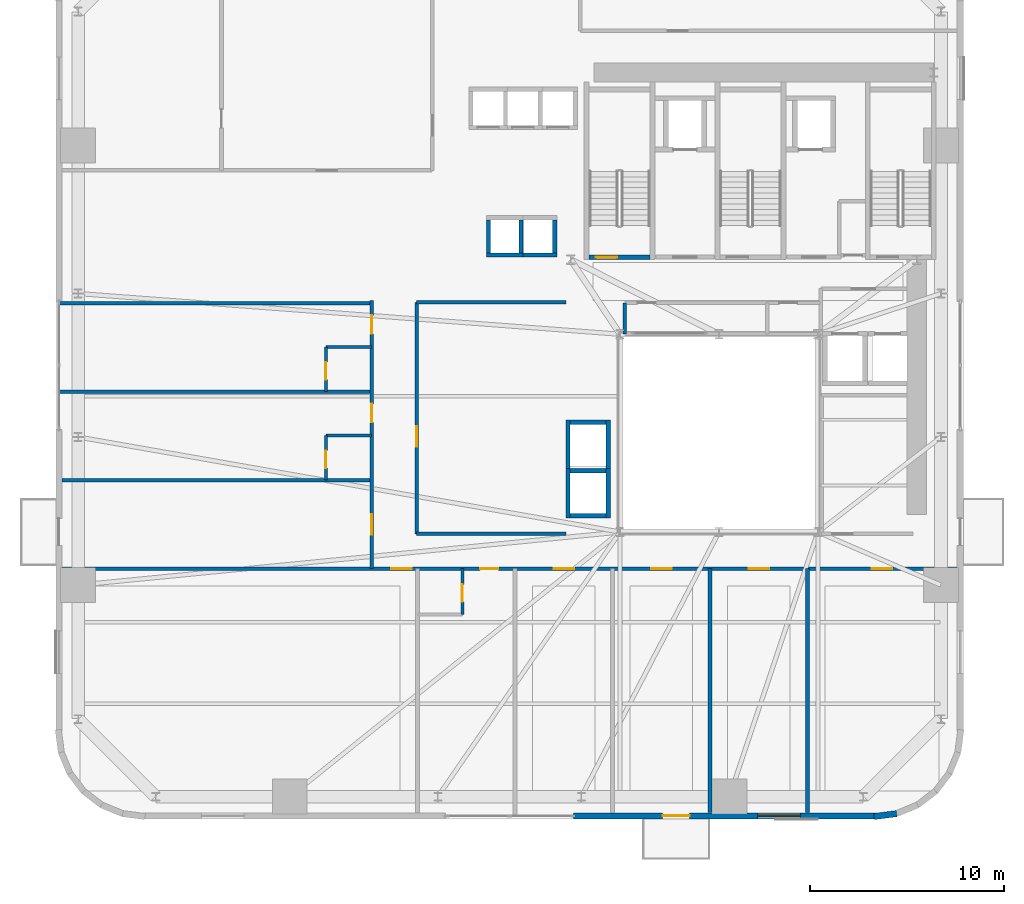
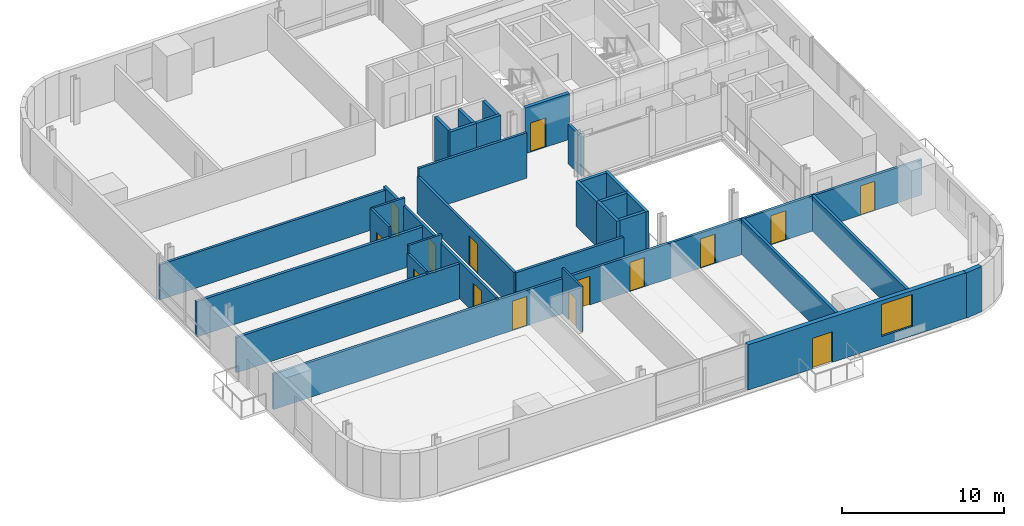
# One storey, part 6 of 13: 31 walls, 15 doors, 1 window, 16 openings.
"""IFC4 building model written with IfcOpenShell, lengths in metres."""

from ifc_helpers import new_model, si_unit, direction, frame, frame_2d, origin, place, context, subcontext, project, spatial, rectangle, extrude, source, transform, mapped, material, layer, layer_set, type_object, element, fill, save


model = new_model("IFC4")

# Units and contexts
model_context = context("Model", 3, precision=1e-05, world=origin(), true_north=direction((0.0, 1.0)))
body_context = subcontext(model_context, "Body", "Model", "MODEL_VIEW")
ifc_project = project(units=[si_unit("LENGTHUNIT", "METRE"), si_unit("AREAUNIT", "SQUARE_METRE"), si_unit("VOLUMEUNIT", "CUBIC_METRE"), si_unit("PLANEANGLEUNIT", "RADIAN"), si_unit("MASSUNIT", "GRAM", prefix="KILO")], contexts=[model_context])

# Site, building, storey
site_placement = place(None, origin())
site = spatial("IfcSite", under=ifc_project, at=site_placement, CompositionType="ELEMENT")
building_placement = place(site_placement, origin())
building = spatial("IfcBuilding", under=site, at=building_placement, Name="Vardaveli Station Tower", CompositionType="ELEMENT")
storey_placement = place(building_placement, frame((0.0, 0.0, 38.550048828125)))
storey = spatial("IfcBuildingStorey", under=building, at=storey_placement, Name="L09", CompositionType="ELEMENT", Elevation=38.550048828125)

# Wall, openings, door, window
ifc_material_1 = material(Name="Precast concrete C45/55", Category="concrete")
ifc_layer_1 = layer(ifc_material_1, 0.320068359375, Name="Precast concrete C45/55")
ifc_layer_set_1 = layer_set([ifc_layer_1], Name="Precast concrete C45/55")
wall_type_1 = type_object("IfcWallType", Name="WAL-EXT-STONE-320", PredefinedType="SOLIDWALL", material=ifc_layer_set_1)
shared_shape_1 = source(origin(), body_context, "Body", "SweptSolid", [
    extrude(rectangle(XDim=15.599853515625, YDim=0.320068359375, at=frame_2d((7.7998046875, 0.0))), origin(), (0.0, 0.0, 1.0), 3.409912109375),
])
wall_1_placement = place(storey_placement, frame((28.800048828125, 1.9599609375, 0.0), z_axis=(0.0, 0.0, 1.0), x_axis=(1.0, 0.0, 0.0)))
wall_1 = element("IfcWall", 1, at=wall_1_placement, inside=storey, type_object=wall_type_1, Name="EW-L09-S2", PredefinedType="SOLIDWALL", context=body_context, shape_type="MappedRepresentation", body=[
    mapped(shared_shape_1, transform((0.0, 0.0, 0.0), scale=1.0)),
])
shared_shape_2 = source(origin(), body_context, "Body", "SweptSolid", [
    extrude(rectangle(XDim=1.39990234375, YDim=2.300048828125, at=frame_2d((0.699951171875, 1.14990234375))), frame((0.0, 0.169921875, 0.0), z_axis=(0.0, -1.0, 0.0), x_axis=(1.0, 0.0, 0.0)), (0.0, 0.0, 1.0), 0.340087890625),
])
opening_1_placement = place(wall_1_placement, frame((4.589599609375, 0.0, 0.0)))
opening_1 = element("IfcOpeningElement", 2, at=opening_1_placement, cuts=wall_1, Name="Opening D-09", PredefinedType="OPENING", context=body_context, shape_type="MappedRepresentation", body=[
    mapped(shared_shape_2, transform((0.0, 0.0, 0.0), scale=1.0)),
])
shared_shape_3 = source(origin(), body_context, "Body", "SweptSolid", [
    extrude(rectangle(XDim=2.199951171875, YDim=2.39990234375, at=frame_2d((1.10009765625, 1.199951171875))), frame((0.0, 0.169921875, 0.0), z_axis=(0.0, -1.0, 0.0), x_axis=(1.0, 0.0, 0.0)), (0.0, 0.0, 1.0), 0.340087890625),
])
opening_2_placement = place(wall_1_placement, frame((9.4951171875, 0.0, 0.719970703125)))
opening_2 = element("IfcOpeningElement", 3, at=opening_2_placement, cuts=wall_1, Name="Opening W-03", PredefinedType="OPENING", context=body_context, shape_type="MappedRepresentation", body=[
    mapped(shared_shape_3, transform((0.0, 0.0, 0.0), scale=1.0)),
])
ifc_material_2 = material(Name="Thermally broken aluminium glass", Category="aluminium")
door_type_1 = type_object("IfcDoorType", Name="DR-LOG-1400x2300", OperationType="DOUBLE_DOOR_SLIDING", PredefinedType="DOOR", material=ifc_material_2)
shared_shape_4 = source(origin(), body_context, "Body", "SweptSolid", [
    extrude(rectangle(XDim=1.39990234375, YDim=2.300048828125, at=frame_2d((0.699951171875, 1.14990234375))), frame((0.0, 0.02490234375, 0.0), z_axis=(0.0, -1.0, 0.0), x_axis=(1.0, 0.0, 0.0)), (0.0, 0.0, 1.0), 0.050048828125),
])
door_1_placement = place(opening_1_placement, frame((1.39990234375, 0.0, 0.0), z_axis=(0.0, 0.0, 1.0), x_axis=(-1.0, 0.0, 0.0)))
door_1 = element("IfcDoor", 4, at=door_1_placement, inside=storey, type_object=door_type_1, Name="DLG-L09-S", OperationType="DOUBLE_DOOR_SLIDING", OverallHeight=2.300048828125, OverallWidth=1.39990234375, PredefinedType="DOOR", context=body_context, shape_type="MappedRepresentation", body=[
    mapped(shared_shape_4, transform((0.0, 0.0, 0.0), scale=1.0)),
])
fill(opening_1, door_1)
ifc_material_3 = material(Name="Low-E solar-control glass", Category="glass")
window_type = type_object("IfcWindowType", Name="WIN-LOG-2200x2400", PartitioningType="SINGLE_PANEL", PredefinedType="WINDOW", material=ifc_material_3)
shared_shape_5 = source(origin(), body_context, "Body", "SweptSolid", [
    extrude(rectangle(XDim=2.199951171875, YDim=2.39990234375, at=frame_2d((1.10009765625, 1.199951171875))), frame((0.0, 0.030029296875, 0.0), z_axis=(0.0, -1.0, 0.0), x_axis=(1.0, 0.0, 0.0)), (0.0, 0.0, 1.0), 0.06005859375),
])
window_placement = place(opening_2_placement, origin())
window = element("IfcWindow", 5, at=window_placement, inside=storey, type_object=window_type, Name="WN-L09-S2", OverallHeight=2.39990234375, OverallWidth=2.199951171875, PartitioningType="SINGLE_PANEL", PredefinedType="WINDOW", context=body_context, shape_type="MappedRepresentation", body=[
    mapped(shared_shape_5, transform((0.0, 0.0, 0.0), scale=1.0)),
])
fill(opening_2, window)

# Wall
shared_shape_6 = source(origin(), body_context, "Body", "SweptSolid", [
    extrude(rectangle(XDim=1.170166015625, YDim=0.320068359375, at=frame_2d((0.5849609375, 0.0))), origin(), (0.0, 0.0, 1.0), 3.409912109375),
])
wall_2_placement = place(storey_placement, frame((44.299560546875, 1.924560546875, 0.0), z_axis=(0.0, 0.0, 1.0), x_axis=(0.991762485493, 0.128090485085, 0.0)))
element("IfcWall", 6, at=wall_2_placement, inside=storey, type_object=wall_type_1, Name="EW-L09-CR2-1", PredefinedType="SOLIDWALL", context=body_context, shape_type="MappedRepresentation", body=[
    mapped(shared_shape_6, transform((0.0, 0.0, 0.0), scale=1.0)),
])

# Wall, opening, door
ifc_material_4 = material(Name="Concrete C40/50", Category="concrete")
ifc_layer_2 = layer(ifc_material_4, 0.25, Name="Concrete C40/50")
ifc_layer_set_2 = layer_set([ifc_layer_2], Name="Concrete C40/50")
wall_type_2 = type_object("IfcWallType", Name="WAL-SHAFT-250", PredefinedType="SOLIDWALL", material=ifc_layer_set_2)
shared_shape_7 = source(origin(), body_context, "Body", "SweptSolid", [
    extrude(rectangle(XDim=3.14990234375, YDim=0.25, at=frame_2d((1.574951171875, 0.0))), origin(), (0.0, 0.0, 1.0), 3.449951171875),
])
wall_3_placement = place(storey_placement, frame((29.60009765625, 30.77490234375, 0.0), z_axis=(0.0, 0.0, 1.0), x_axis=(1.0, 0.0, 0.0)))
wall_3 = element("IfcWall", 7, at=wall_3_placement, inside=storey, type_object=wall_type_2, Name="W-L09-ST-1S", PredefinedType="SOLIDWALL", context=body_context, shape_type="MappedRepresentation", body=[
    mapped(shared_shape_7, transform((0.0, 0.0, 0.0), scale=1.0)),
])
shared_shape_8 = source(origin(), body_context, "Body", "SweptSolid", [
    extrude(rectangle(XDim=1.10009765625, YDim=2.199951171875, at=frame_2d((0.550048828125, 1.10009765625))), frame((0.0, 0.135009765625, 0.0), z_axis=(0.0, -1.0, 0.0), x_axis=(1.0, 0.0, 0.0)), (0.0, 0.0, 1.0), 0.27001953125),
])
opening_3_placement = place(wall_3_placement, frame((0.35009765625, 0.0, 0.0)))
opening_3 = element("IfcOpeningElement", 8, at=opening_3_placement, cuts=wall_3, Name="Opening D-04", PredefinedType="OPENING", context=body_context, shape_type="MappedRepresentation", body=[
    mapped(shared_shape_8, transform((0.0, 0.0, 0.0), scale=1.0)),
])
ifc_material_5 = material(Name="Steel smokeproof fire doorset", Category="steel")
door_type_2 = type_object("IfcDoorType", Name="DR-ST-1100x2200", OperationType="NOTDEFINED", PredefinedType="DOOR", material=ifc_material_5)
shared_shape_9 = source(origin(), body_context, "Body", "SweptSolid", [
    extrude(rectangle(XDim=1.10009765625, YDim=2.199951171875, at=frame_2d((0.550048828125, 1.10009765625))), frame((0.0, 0.02490234375, 0.0), z_axis=(0.0, -1.0, 0.0), x_axis=(1.0, 0.0, 0.0)), (0.0, 0.0, 1.0), 0.050048828125),
])
door_2_placement = place(opening_3_placement, origin())
door_2 = element("IfcDoor", 9, at=door_2_placement, inside=storey, type_object=door_type_2, Name="DST-1-L09", OperationType="SINGLE_SWING_LEFT", OverallHeight=2.199951171875, OverallWidth=1.10009765625, PredefinedType="DOOR", context=body_context, shape_type="MappedRepresentation", body=[
    mapped(shared_shape_9, transform((0.0, 0.0, 0.0), scale=1.0)),
])
fill(opening_3, door_2)

# Walls
ifc_layer_3 = layer(ifc_material_4, 0.219970703125, Name="Concrete C40/50")
ifc_layer_set_3 = layer_set([ifc_layer_3], Name="Concrete C40/50")
wall_type_3 = type_object("IfcWallType", Name="WAL-FFLOBBY-220", PredefinedType="SOLIDWALL", material=ifc_layer_set_3)
shared_shape_10 = source(origin(), body_context, "Body", "SweptSolid", [
    extrude(rectangle(XDim=1.89013671875, YDim=0.219970703125, at=frame_2d((0.945068359375, 0.0))), origin(), (0.0, 0.0, 1.0), 3.409912109375),
])
for number, where, z_axis, x_axis, name in (
    (10, (24.304931640625, 30.889892578125, 0.0), (0.0, 0.0, 1.0), (1.0, 0.0, 0.0), "SHW-SHU-01-L09-S"),
    (11, (26.054931640625, 30.889892578125, 0.0), (0.0, 0.0, 1.0), (1.0, 0.0, 0.0), "SHW-SHU-02-L09-S"),
):
    element("IfcWall", number, at=place(storey_placement, frame(where, z_axis=z_axis, x_axis=x_axis)), inside=storey, type_object=wall_type_3, Name=name, PredefinedType="SOLIDWALL", context=body_context, shape_type="MappedRepresentation", body=[
        mapped(shared_shape_10, transform((0.0, 0.0, 0.0), scale=1.0)),
    ])
shared_shape_11 = source(origin(), body_context, "Body", "SweptSolid", [
    extrude(rectangle(XDim=1.699951171875, YDim=0.219970703125, at=frame_2d((0.85009765625, 0.0))), origin(), (0.0, 0.0, 1.0), 3.409912109375),
])
for number, where, z_axis, x_axis, name in (
    (12, (24.4150390625, 31.0, 0.0), (0.0, 0.0, 1.0), (0.0, 1.0, 0.0), "SHW-SHU-01-L09-W"),
    (13, (26.0849609375, 31.0, 0.0), (0.0, 0.0, 1.0), (0.0, 1.0, 0.0), "SHW-SHU-01-L09-E"),
    (14, (27.8349609375, 31.0, 0.0), (0.0, 0.0, 1.0), (0.0, 1.0, 0.0), "SHW-SHU-02-L09-E"),
):
    element("IfcWall", number, at=place(storey_placement, frame(where, z_axis=z_axis, x_axis=x_axis)), inside=storey, type_object=wall_type_3, Name=name, PredefinedType="SOLIDWALL", context=body_context, shape_type="MappedRepresentation", body=[
        mapped(shared_shape_11, transform((0.0, 0.0, 0.0), scale=1.0)),
    ])
shared_shape_12 = source(origin(), body_context, "Body", "SweptSolid", [
    extrude(rectangle(XDim=1.85009765625, YDim=0.219970703125, at=frame_2d((0.925048828125, 0.0))), origin(), (0.0, 0.0, 1.0), 3.409912109375),
])
for number, where, z_axis, x_axis, name in (
    (15, (28.625, 17.43994140625, 0.0), (0.0, 0.0, 1.0), (1.0, 0.0, 0.0), "SHW-OBS-01-L09-S"),
    (16, (28.625, 19.760009765625, 0.0), (0.0, 0.0, 1.0), (1.0, 0.0, 0.0), "SHW-OBS-01-L09-N"),
    (17, (28.625, 22.260009765625, 0.0), (0.0, 0.0, 1.0), (1.0, 0.0, 0.0), "SHW-OBS-02-L09-N"),
):
    element("IfcWall", number, at=place(storey_placement, frame(where, z_axis=z_axis, x_axis=x_axis)), inside=storey, type_object=wall_type_3, Name=name, PredefinedType="SOLIDWALL", context=body_context, shape_type="MappedRepresentation", body=[
        mapped(shared_shape_12, transform((0.0, 0.0, 0.0), scale=1.0)),
    ])
shared_shape_13 = source(origin(), body_context, "Body", "SweptSolid", [
    extrude(rectangle(XDim=2.5400390625, YDim=0.219970703125, at=frame_2d((1.27001953125, 0.0))), origin(), (0.0, 0.0, 1.0), 3.409912109375),
])
for number, where, z_axis, x_axis, name in (
    (18, (28.514892578125, 17.330078125, 0.0), (0.0, 0.0, 1.0), (0.0, 1.0, 0.0), "SHW-OBS-01-L09-W"),
    (19, (30.5849609375, 17.330078125, 0.0), (0.0, 0.0, 1.0), (0.0, 1.0, 0.0), "SHW-OBS-01-L09-E"),
    (20, (28.514892578125, 19.830078125, 0.0), (0.0, 0.0, 1.0), (0.0, 1.0, 0.0), "SHW-OBS-02-L09-W"),
    (21, (30.5849609375, 19.830078125, 0.0), (0.0, 0.0, 1.0), (0.0, 1.0, 0.0), "SHW-OBS-02-L09-E"),
):
    element("IfcWall", number, at=place(storey_placement, frame(where, z_axis=z_axis, x_axis=x_axis)), inside=storey, type_object=wall_type_3, Name=name, PredefinedType="SOLIDWALL", context=body_context, shape_type="MappedRepresentation", body=[
        mapped(shared_shape_13, transform((0.0, 0.0, 0.0), scale=1.0)),
    ])

# Wall, openings, doors
ifc_material_6 = material(Name="Fire-rated gypsum stud partition")
ifc_layer_4 = layer(ifc_material_6, 0.179931640625, Name="Fire-rated gypsum stud partition")
ifc_layer_set_4 = layer_set([ifc_layer_4], Name="Fire-rated gypsum stud partition")
wall_type_4 = type_object("IfcWallType", Name="WAL-CORR-180", PredefinedType="PARTITIONING", material=ifc_layer_set_4)
shared_shape_14 = source(origin(), body_context, "Body", "SweptSolid", [
    extrude(rectangle(XDim=46.15576171875, YDim=0.179931640625, at=frame_2d((23.077880859375, 0.0))), origin(), (0.0, 0.0, 1.0), 2.65185546875),
])
wall_4_placement = place(storey_placement, frame((2.422119140625, 14.7099609375, 0.0), z_axis=(0.0, 0.0, 1.0), x_axis=(1.0, 0.0, 0.0)))
wall_4 = element("IfcWall", 22, at=wall_4_placement, inside=storey, type_object=wall_type_4, Name="W-L09-CS", PredefinedType="PARTITIONING", context=body_context, shape_type="MappedRepresentation", body=[
    mapped(shared_shape_14, transform((0.0, 0.0, 0.0), scale=1.0)),
])
shared_shape_15 = source(origin(), body_context, "Body", "SweptSolid", [
    extrude(rectangle(XDim=1.050048828125, YDim=2.199951171875, at=frame_2d((0.52490234375, 1.10009765625))), frame((0.0, 0.10009765625, 0.0), z_axis=(0.0, -1.0, 0.0), x_axis=(1.0, 0.0, 0.0)), (0.0, 0.0, 1.0), 0.199951171875),
])
opening_4_placement = place(wall_4_placement, frame((16.988037109375, 0.0, 0.0)))
opening_4 = element("IfcOpeningElement", 23, at=opening_4_placement, cuts=wall_4, Name="Opening D-05", PredefinedType="OPENING", context=body_context, shape_type="MappedRepresentation", body=[
    mapped(shared_shape_15, transform((0.0, 0.0, 0.0), scale=1.0)),
])
shared_shape_16 = source(origin(), body_context, "Body", "SweptSolid", [
    extrude(rectangle(XDim=0.949951171875, YDim=2.14990234375, at=frame_2d((0.47509765625, 1.074951171875))), frame((0.0, 0.10009765625, 0.0), z_axis=(0.0, -1.0, 0.0), x_axis=(1.0, 0.0, 0.0)), (0.0, 0.0, 1.0), 0.199951171875),
])
opening_5_placement = place(wall_4_placement, frame((21.556396484375, 0.0, 0.0)))
opening_5 = element("IfcOpeningElement", 24, at=opening_5_placement, cuts=wall_4, Name="Opening D-06", PredefinedType="OPENING", context=body_context, shape_type="MappedRepresentation", body=[
    mapped(shared_shape_16, transform((0.0, 0.0, 0.0), scale=1.0)),
])
opening_6_placement = place(wall_4_placement, frame((25.35791015625, 0.0, 0.0)))
opening_6 = element("IfcOpeningElement", 25, at=opening_6_placement, cuts=wall_4, Name="Opening D-05", PredefinedType="OPENING", context=body_context, shape_type="MappedRepresentation", body=[
    mapped(shared_shape_15, transform((0.0, 0.0, 0.0), scale=1.0)),
])
opening_7_placement = place(wall_4_placement, frame((30.384521484375, 0.0, 0.0)))
opening_7 = element("IfcOpeningElement", 26, at=opening_7_placement, cuts=wall_4, Name="Opening D-05", PredefinedType="OPENING", context=body_context, shape_type="MappedRepresentation", body=[
    mapped(shared_shape_15, transform((0.0, 0.0, 0.0), scale=1.0)),
])
opening_8_placement = place(wall_4_placement, frame((35.411376953125, 0.0, 0.0)))
opening_8 = element("IfcOpeningElement", 27, at=opening_8_placement, cuts=wall_4, Name="Opening D-05", PredefinedType="OPENING", context=body_context, shape_type="MappedRepresentation", body=[
    mapped(shared_shape_15, transform((0.0, 0.0, 0.0), scale=1.0)),
])
opening_9_placement = place(wall_4_placement, frame((41.766357421875, 0.0, 0.0)))
opening_9 = element("IfcOpeningElement", 28, at=opening_9_placement, cuts=wall_4, Name="Opening D-05", PredefinedType="OPENING", context=body_context, shape_type="MappedRepresentation", body=[
    mapped(shared_shape_15, transform((0.0, 0.0, 0.0), scale=1.0)),
])
ifc_material_7 = material(Name="Walnut veneer acoustic fire door")
door_type_3 = type_object("IfcDoorType", Name="DR-SUITE-1050x2200", OperationType="NOTDEFINED", PredefinedType="DOOR", material=ifc_material_7)
shared_shape_17 = source(origin(), body_context, "Body", "SweptSolid", [
    extrude(rectangle(XDim=1.050048828125, YDim=2.199951171875, at=frame_2d((0.52490234375, 1.10009765625))), frame((0.0, 0.02490234375, 0.0), z_axis=(0.0, -1.0, 0.0), x_axis=(1.0, 0.0, 0.0)), (0.0, 0.0, 1.0), 0.050048828125),
])
door_3_placement = place(opening_4_placement, origin())
door_3 = element("IfcDoor", 29, at=door_3_placement, inside=storey, type_object=door_type_3, Name="D-L09-SA1", OperationType="SINGLE_SWING_RIGHT", OverallHeight=2.199951171875, OverallWidth=1.050048828125, PredefinedType="DOOR", context=body_context, shape_type="MappedRepresentation", body=[
    mapped(shared_shape_17, transform((0.0, 0.0, 0.0), scale=1.0)),
])
fill(opening_4, door_3)
door_4_placement = place(opening_6_placement, origin())
door_4 = element("IfcDoor", 30, at=door_4_placement, inside=storey, type_object=door_type_3, Name="D-L09-SA3", OperationType="SINGLE_SWING_RIGHT", OverallHeight=2.199951171875, OverallWidth=1.050048828125, PredefinedType="DOOR", context=body_context, shape_type="MappedRepresentation", body=[
    mapped(shared_shape_17, transform((0.0, 0.0, 0.0), scale=1.0)),
])
fill(opening_6, door_4)
door_5_placement = place(opening_7_placement, origin())
door_5 = element("IfcDoor", 31, at=door_5_placement, inside=storey, type_object=door_type_3, Name="D-L09-SA4", OperationType="SINGLE_SWING_LEFT", OverallHeight=2.199951171875, OverallWidth=1.050048828125, PredefinedType="DOOR", context=body_context, shape_type="MappedRepresentation", body=[
    mapped(shared_shape_17, transform((0.0, 0.0, 0.0), scale=1.0)),
])
fill(opening_7, door_5)
door_6_placement = place(opening_8_placement, origin())
door_6 = element("IfcDoor", 32, at=door_6_placement, inside=storey, type_object=door_type_3, Name="D-L09-SA5", OperationType="SINGLE_SWING_RIGHT", OverallHeight=2.199951171875, OverallWidth=1.050048828125, PredefinedType="DOOR", context=body_context, shape_type="MappedRepresentation", body=[
    mapped(shared_shape_17, transform((0.0, 0.0, 0.0), scale=1.0)),
])
fill(opening_8, door_6)
door_7_placement = place(opening_9_placement, origin())
door_7 = element("IfcDoor", 33, at=door_7_placement, inside=storey, type_object=door_type_3, Name="D-L09-SA6", OperationType="SINGLE_SWING_LEFT", OverallHeight=2.199951171875, OverallWidth=1.050048828125, PredefinedType="DOOR", context=body_context, shape_type="MappedRepresentation", body=[
    mapped(shared_shape_17, transform((0.0, 0.0, 0.0), scale=1.0)),
])
fill(opening_9, door_7)
ifc_material_8 = material(Name="Oak veneer acoustic fire door")
door_type_4 = type_object("IfcDoorType", Name="DR-GUEST-950x2150", OperationType="NOTDEFINED", PredefinedType="DOOR", material=ifc_material_8)
shared_shape_18 = source(origin(), body_context, "Body", "SweptSolid", [
    extrude(rectangle(XDim=0.949951171875, YDim=2.14990234375, at=frame_2d((0.47509765625, 1.074951171875))), frame((0.0, 0.02490234375, 0.0), z_axis=(0.0, -1.0, 0.0), x_axis=(1.0, 0.0, 0.0)), (0.0, 0.0, 1.0), 0.050048828125),
])
door_8_placement = place(opening_5_placement, origin())
door_8 = element("IfcDoor", 34, at=door_8_placement, inside=storey, type_object=door_type_4, Name="D-L09-GS2", OperationType="SINGLE_SWING_LEFT", OverallHeight=2.14990234375, OverallWidth=0.949951171875, PredefinedType="DOOR", context=body_context, shape_type="MappedRepresentation", body=[
    mapped(shared_shape_18, transform((0.0, 0.0, 0.0), scale=1.0)),
])
fill(opening_5, door_8)

# Wall, opening, door
shared_shape_19 = source(origin(), body_context, "Body", "SweptSolid", [
    extrude(rectangle(XDim=11.93994140625, YDim=0.179931640625, at=frame_2d((5.969970703125, 0.0))), origin(), (0.0, 0.0, 1.0), 2.802001953125),
])
wall_5_placement = place(storey_placement, frame((20.7099609375, 16.5, 0.0), z_axis=(0.0, 0.0, 1.0), x_axis=(0.0, 1.0, 0.0)))
wall_5 = element("IfcWall", 35, at=wall_5_placement, inside=storey, type_object=wall_type_4, Name="W-L09-ATW-W", PredefinedType="PARTITIONING", context=body_context, shape_type="MappedRepresentation", body=[
    mapped(shared_shape_19, transform((0.0, 0.0, 0.0), scale=1.0)),
])
opening_10_placement = place(wall_5_placement, frame((4.5, 0.0, 0.0)))
opening_10 = element("IfcOpeningElement", 36, at=opening_10_placement, cuts=wall_5, Name="Opening D-05", PredefinedType="OPENING", context=body_context, shape_type="MappedRepresentation", body=[
    mapped(shared_shape_15, transform((0.0, 0.0, 0.0), scale=1.0)),
])
door_9_placement = place(opening_10_placement, origin())
door_9 = element("IfcDoor", 37, at=door_9_placement, inside=storey, type_object=door_type_3, Name="D-L09-ATW1", OperationType="SINGLE_SWING_LEFT", OverallHeight=2.199951171875, OverallWidth=1.050048828125, PredefinedType="DOOR", context=body_context, shape_type="MappedRepresentation", body=[
    mapped(shared_shape_17, transform((0.0, 0.0, 0.0), scale=1.0)),
])
fill(opening_10, door_9)

ifc_material_9 = material(Name="Moisture-resistant stud partition")
ifc_layer_5 = layer(ifc_material_9, 0.14990234375, Name="Moisture-resistant stud partition")
ifc_layer_set_5 = layer_set([ifc_layer_5], Name="Moisture-resistant stud partition")
wall_type_5 = type_object("IfcWallType", Name="WAL-WET-150", PredefinedType="PARTITIONING", material=ifc_layer_set_5)
shared_shape_20 = source(origin(), body_context, "Body", "SweptSolid", [
    extrude(rectangle(XDim=2.2900390625, YDim=0.14990234375, at=frame_2d((1.14501953125, 0.0))), origin(), (0.0, 0.0, 1.0), 2.802001953125),
])
wall_6_placement = place(storey_placement, frame((16.030029296875, 19.29296875, 0.0), z_axis=(0.0, 0.0, 1.0), x_axis=(0.0, 1.0, 0.0)))
wall_6 = element("IfcWall", 38, at=wall_6_placement, inside=storey, type_object=wall_type_5, Name="W-L09-BW2-W", PredefinedType="PARTITIONING", context=body_context, shape_type="MappedRepresentation", body=[
    mapped(shared_shape_20, transform((0.0, 0.0, 0.0), scale=1.0)),
])
shared_shape_21 = source(origin(), body_context, "Body", "SweptSolid", [
    extrude(rectangle(XDim=0.89990234375, YDim=2.10009765625, at=frame_2d((0.449951171875, 1.050048828125))), frame((0.0, 0.0849609375, 0.0), z_axis=(0.0, -1.0, 0.0), x_axis=(1.0, 0.0, 0.0)), (0.0, 0.0, 1.0), 0.169921875),
])
opening_11_placement = place(wall_6_placement, frame((0.60009765625, 0.0, 0.0)))
opening_11 = element("IfcOpeningElement", 39, at=opening_11_placement, cuts=wall_6, Name="Opening D-08", PredefinedType="OPENING", context=body_context, shape_type="MappedRepresentation", body=[
    mapped(shared_shape_21, transform((0.0, 0.0, 0.0), scale=1.0)),
])
ifc_material_10 = material(Name="Moisture-resistant oak door")
door_type_5 = type_object("IfcDoorType", Name="DR-BATH-900x2100", OperationType="NOTDEFINED", PredefinedType="DOOR", material=ifc_material_10)
shared_shape_22 = source(origin(), body_context, "Body", "SweptSolid", [
    extrude(rectangle(XDim=0.89990234375, YDim=2.10009765625, at=frame_2d((0.449951171875, 1.050048828125))), frame((0.0, 0.02490234375, 0.0), z_axis=(0.0, -1.0, 0.0), x_axis=(1.0, 0.0, 0.0)), (0.0, 0.0, 1.0), 0.050048828125),
])
door_10_placement = place(opening_11_placement, origin())
door_10 = element("IfcDoor", 40, at=door_10_placement, inside=storey, type_object=door_type_5, Name="D-L09-BW2", OperationType="SINGLE_SWING_LEFT", OverallHeight=2.10009765625, OverallWidth=0.89990234375, PredefinedType="DOOR", context=body_context, shape_type="MappedRepresentation", body=[
    mapped(shared_shape_22, transform((0.0, 0.0, 0.0), scale=1.0)),
])
fill(opening_11, door_10)

# Wall
shared_shape_23 = source(origin(), body_context, "Body", "SweptSolid", [
    extrude(rectangle(XDim=1.599853515625, YDim=0.179931640625, at=frame_2d((0.7998046875, 0.0))), origin(), (0.0, 0.0, 1.0), 2.951904296875),
])
wall_7_placement = place(storey_placement, frame((31.449951171875, 26.820068359375, 0.0), z_axis=(0.0, 0.0, 1.0), x_axis=(0.0, 1.0, 0.0)))
element("IfcWall", 41, at=wall_7_placement, inside=storey, type_object=wall_type_4, Name="W-L09-HKP0-W", PredefinedType="PARTITIONING", context=body_context, shape_type="MappedRepresentation", body=[
    mapped(shared_shape_23, transform((0.0, 0.0, 0.0), scale=1.0)),
])

# Wall, openings, doors
shared_shape_24 = source(origin(), body_context, "Body", "SweptSolid", [
    extrude(rectangle(XDim=13.840087890625, YDim=0.179931640625, at=frame_2d((6.919921875, 0.0))), origin(), (0.0, 0.0, 1.0), 2.802001953125),
])
wall_8_placement = place(storey_placement, frame((18.389892578125, 14.7099609375, 0.0), z_axis=(0.0, 0.0, 1.0), x_axis=(0.0, 1.0, 0.0)))
wall_8 = element("IfcWall", 42, at=wall_8_placement, inside=storey, type_object=wall_type_4, Name="W-L09-CW", PredefinedType="PARTITIONING", context=body_context, shape_type="MappedRepresentation", body=[
    mapped(shared_shape_24, transform((0.0, 0.0, 0.0), scale=1.0)),
])
opening_12_placement = place(wall_8_placement, frame((1.76171875, 0.0, 0.0)))
opening_12 = element("IfcOpeningElement", 43, at=opening_12_placement, cuts=wall_8, Name="Opening D-05", PredefinedType="OPENING", context=body_context, shape_type="MappedRepresentation", body=[
    mapped(shared_shape_15, transform((0.0, 0.0, 0.0), scale=1.0)),
])
opening_13_placement = place(wall_8_placement, frame((7.550048828125, 0.0, 0.0)))
opening_13 = element("IfcOpeningElement", 44, at=opening_13_placement, cuts=wall_8, Name="Opening D-06", PredefinedType="OPENING", context=body_context, shape_type="MappedRepresentation", body=[
    mapped(shared_shape_16, transform((0.0, 0.0, 0.0), scale=1.0)),
])
opening_14_placement = place(wall_8_placement, frame((12.11328125, 0.0, 0.0)))
opening_14 = element("IfcOpeningElement", 45, at=opening_14_placement, cuts=wall_8, Name="Opening D-06", PredefinedType="OPENING", context=body_context, shape_type="MappedRepresentation", body=[
    mapped(shared_shape_16, transform((0.0, 0.0, 0.0), scale=1.0)),
])
door_11_placement = place(opening_12_placement, origin())
door_11 = element("IfcDoor", 46, at=door_11_placement, inside=storey, type_object=door_type_3, Name="D-L09-GW1", OperationType="SINGLE_SWING_RIGHT", OverallHeight=2.199951171875, OverallWidth=1.050048828125, PredefinedType="DOOR", context=body_context, shape_type="MappedRepresentation", body=[
    mapped(shared_shape_17, transform((0.0, 0.0, 0.0), scale=1.0)),
])
fill(opening_12, door_11)
door_12_placement = place(opening_13_placement, origin())
door_12 = element("IfcDoor", 47, at=door_12_placement, inside=storey, type_object=door_type_4, Name="D-L09-GW2", OperationType="SINGLE_SWING_LEFT", OverallHeight=2.14990234375, OverallWidth=0.949951171875, PredefinedType="DOOR", context=body_context, shape_type="MappedRepresentation", body=[
    mapped(shared_shape_18, transform((0.0, 0.0, 0.0), scale=1.0)),
])
fill(opening_13, door_12)
door_13_placement = place(opening_14_placement, origin())
door_13 = element("IfcDoor", 48, at=door_13_placement, inside=storey, type_object=door_type_4, Name="D-L09-GW3", OperationType="SINGLE_SWING_RIGHT", OverallHeight=2.14990234375, OverallWidth=0.949951171875, PredefinedType="DOOR", context=body_context, shape_type="MappedRepresentation", body=[
    mapped(shared_shape_18, transform((0.0, 0.0, 0.0), scale=1.0)),
])
fill(opening_14, door_13)

# Wall, opening, door
shared_shape_25 = source(origin(), body_context, "Body", "SweptSolid", [
    extrude(rectangle(XDim=2.35986328125, YDim=0.14990234375, at=frame_2d((1.179931640625, 0.0))), origin(), (0.0, 0.0, 1.0), 3.409912109375),
])
wall_9_placement = place(storey_placement, frame((23.070068359375, 12.35009765625, 0.0), z_axis=(0.0, 0.0, 1.0), x_axis=(0.0, 1.0, 0.0)))
wall_9 = element("IfcWall", 49, at=wall_9_placement, inside=storey, type_object=wall_type_5, Name="W-L09-BS2-E", PredefinedType="PARTITIONING", context=body_context, shape_type="MappedRepresentation", body=[
    mapped(shared_shape_25, transform((0.0, 0.0, 0.0), scale=1.0)),
])
opening_15_placement = place(wall_9_placement, frame((0.64990234375, 0.0, 0.0)))
opening_15 = element("IfcOpeningElement", 50, at=opening_15_placement, cuts=wall_9, Name="Opening D-08", PredefinedType="OPENING", context=body_context, shape_type="MappedRepresentation", body=[
    mapped(shared_shape_21, transform((0.0, 0.0, 0.0), scale=1.0)),
])
door_14_placement = place(opening_15_placement, origin())
door_14 = element("IfcDoor", 51, at=door_14_placement, inside=storey, type_object=door_type_5, Name="D-L09-BS2", OperationType="SINGLE_SWING_RIGHT", OverallHeight=2.10009765625, OverallWidth=0.89990234375, PredefinedType="DOOR", context=body_context, shape_type="MappedRepresentation", body=[
    mapped(shared_shape_22, transform((0.0, 0.0, 0.0), scale=1.0)),
])
fill(opening_15, door_14)

# Walls
for number, where, z_axis, x_axis, name in (
    (52, (16.030029296875, 21.5830078125, 0.0), (0.0, 0.0, 1.0), (1.0, 0.0, 0.0), "W-L09-BW2-N"),
    (53, (16.030029296875, 26.14697265625, 0.0), (0.0, 0.0, 1.0), (1.0, 0.0, 0.0), "W-L09-BW3-N"),
):
    element("IfcWall", number, at=place(storey_placement, frame(where, z_axis=z_axis, x_axis=x_axis)), inside=storey, type_object=wall_type_5, Name=name, PredefinedType="PARTITIONING", context=body_context, shape_type="MappedRepresentation", body=[
        mapped(shared_shape_25, transform((0.0, 0.0, 0.0), scale=1.0)),
    ])

# Wall, opening, door
shared_shape_26 = source(origin(), body_context, "Body", "SweptSolid", [
    extrude(rectangle(XDim=2.2900390625, YDim=0.14990234375, at=frame_2d((1.14501953125, 0.0))), origin(), (0.0, 0.0, 1.0), 3.409912109375),
])
wall_10_placement = place(storey_placement, frame((16.030029296875, 23.85693359375, 0.0), z_axis=(0.0, 0.0, 1.0), x_axis=(0.0, 1.0, 0.0)))
wall_10 = element("IfcWall", 54, at=wall_10_placement, inside=storey, type_object=wall_type_5, Name="W-L09-BW3-W", PredefinedType="PARTITIONING", context=body_context, shape_type="MappedRepresentation", body=[
    mapped(shared_shape_26, transform((0.0, 0.0, 0.0), scale=1.0)),
])
opening_16_placement = place(wall_10_placement, frame((0.60009765625, 0.0, 0.0)))
opening_16 = element("IfcOpeningElement", 55, at=opening_16_placement, cuts=wall_10, Name="Opening D-08", PredefinedType="OPENING", context=body_context, shape_type="MappedRepresentation", body=[
    mapped(shared_shape_21, transform((0.0, 0.0, 0.0), scale=1.0)),
])
door_15_placement = place(opening_16_placement, origin())
door_15 = element("IfcDoor", 56, at=door_15_placement, inside=storey, type_object=door_type_5, Name="D-L09-BW3", OperationType="SINGLE_SWING_RIGHT", OverallHeight=2.10009765625, OverallWidth=0.89990234375, PredefinedType="DOOR", context=body_context, shape_type="MappedRepresentation", body=[
    mapped(shared_shape_22, transform((0.0, 0.0, 0.0), scale=1.0)),
])
fill(opening_16, door_15)

# Walls
ifc_material_11 = material(Name="Acoustic twin-stud gypsum partition")
ifc_layer_6 = layer(ifc_material_11, 0.199951171875, Name="Acoustic twin-stud gypsum partition")
ifc_layer_set_6 = layer_set([ifc_layer_6], Name="Acoustic twin-stud gypsum partition")
wall_type_6 = type_object("IfcWallType", Name="WAL-PARTY-200", PredefinedType="PARTITIONING", material=ifc_layer_set_6)
shared_shape_27 = source(origin(), body_context, "Body", "SweptSolid", [
    extrude(rectangle(XDim=16.06787109375, YDim=0.199951171875, at=frame_2d((8.033935546875, 0.0))), origin(), (0.0, 0.0, 1.0), 2.65185546875),
])
wall_11_placement = place(storey_placement, frame((2.422119140625, 19.27294921875, 0.0), z_axis=(0.0, 0.0, 1.0), x_axis=(1.0, 0.0, 0.0)))
element("IfcWall", 57, at=wall_11_placement, inside=storey, type_object=wall_type_6, Name="W-L09-PW1", PredefinedType="PARTITIONING", context=body_context, shape_type="MappedRepresentation", body=[
    mapped(shared_shape_27, transform((0.0, 0.0, 0.0), scale=1.0)),
])
shared_shape_28 = source(origin(), body_context, "Body", "SweptSolid", [
    extrude(rectangle(XDim=16.260009765625, YDim=0.199951171875, at=frame_2d((8.1298828125, 0.0))), origin(), (0.0, 0.0, 1.0), 2.65185546875),
])
wall_12_placement = place(storey_placement, frame((2.22998046875, 23.8369140625, 0.0), z_axis=(0.0, 0.0, 1.0), x_axis=(1.0, 0.0, 0.0)))
element("IfcWall", 58, at=wall_12_placement, inside=storey, type_object=wall_type_6, Name="W-L09-PW2", PredefinedType="PARTITIONING", context=body_context, shape_type="MappedRepresentation", body=[
    mapped(shared_shape_28, transform((0.0, 0.0, 0.0), scale=1.0)),
])
shared_shape_29 = source(origin(), body_context, "Body", "SweptSolid", [
    extrude(rectangle(XDim=16.159912109375, YDim=0.179931640625, at=frame_2d((8.080078125, 0.0))), origin(), (0.0, 0.0, 1.0), 2.65185546875),
])
wall_13_placement = place(storey_placement, frame((2.22998046875, 28.39990234375, 0.0), z_axis=(0.0, 0.0, 1.0), x_axis=(1.0, 0.0, 0.0)))
element("IfcWall", 59, at=wall_13_placement, inside=storey, type_object=wall_type_4, Name="W-L09-CWN", PredefinedType="PARTITIONING", context=body_context, shape_type="MappedRepresentation", body=[
    mapped(shared_shape_29, transform((0.0, 0.0, 0.0), scale=1.0)),
])
shared_shape_30 = source(origin(), body_context, "Body", "SweptSolid", [
    extrude(rectangle(XDim=12.587890625, YDim=0.199951171875, at=frame_2d((6.2939453125, 0.0))), origin(), (0.0, 0.0, 1.0), 2.65185546875),
])
for number, where, z_axis, x_axis, name in (
    (60, (35.840087890625, 2.1220703125, 0.0), (0.0, 0.0, 1.0), (0.0, 1.0, 0.0), "W-L09-PS4"),
    (61, (40.866943359375, 2.1220703125, 0.0), (0.0, 0.0, 1.0), (0.0, 1.0, 0.0), "W-L09-PS5"),
):
    element("IfcWall", number, at=place(storey_placement, frame(where, z_axis=z_axis, x_axis=x_axis)), inside=storey, type_object=wall_type_6, Name=name, PredefinedType="PARTITIONING", context=body_context, shape_type="MappedRepresentation", body=[
        mapped(shared_shape_30, transform((0.0, 0.0, 0.0), scale=1.0)),
    ])
shared_shape_31 = source(origin(), body_context, "Body", "SweptSolid", [
    extrude(rectangle(XDim=7.68994140625, YDim=0.179931640625, at=frame_2d((3.844970703125, 0.0))), origin(), (0.0, 0.0, 1.0), 2.802001953125),
])
wall_14_placement = place(storey_placement, frame((20.7099609375, 16.5, 0.0), z_axis=(0.0, 0.0, 1.0), x_axis=(1.0, 0.0, 0.0)))
element("IfcWall", 62, at=wall_14_placement, inside=storey, type_object=wall_type_4, Name="W-L09-ATW-S", PredefinedType="PARTITIONING", context=body_context, shape_type="MappedRepresentation", body=[
    mapped(shared_shape_31, transform((0.0, 0.0, 0.0), scale=1.0)),
])
shared_shape_32 = source(origin(), body_context, "Body", "SweptSolid", [
    extrude(rectangle(XDim=7.68994140625, YDim=0.179931640625, at=frame_2d((3.844970703125, 0.0))), origin(), (0.0, 0.0, 1.0), 3.409912109375),
])
wall_15_placement = place(storey_placement, frame((20.7099609375, 28.43994140625, 0.0), z_axis=(0.0, 0.0, 1.0), x_axis=(1.0, 0.0, 0.0)))
element("IfcWall", 63, at=wall_15_placement, inside=storey, type_object=wall_type_4, Name="W-L09-ATW-N", PredefinedType="PARTITIONING", context=body_context, shape_type="MappedRepresentation", body=[
    mapped(shared_shape_32, transform((0.0, 0.0, 0.0), scale=1.0)),
])

save(model, "model.ifc")
